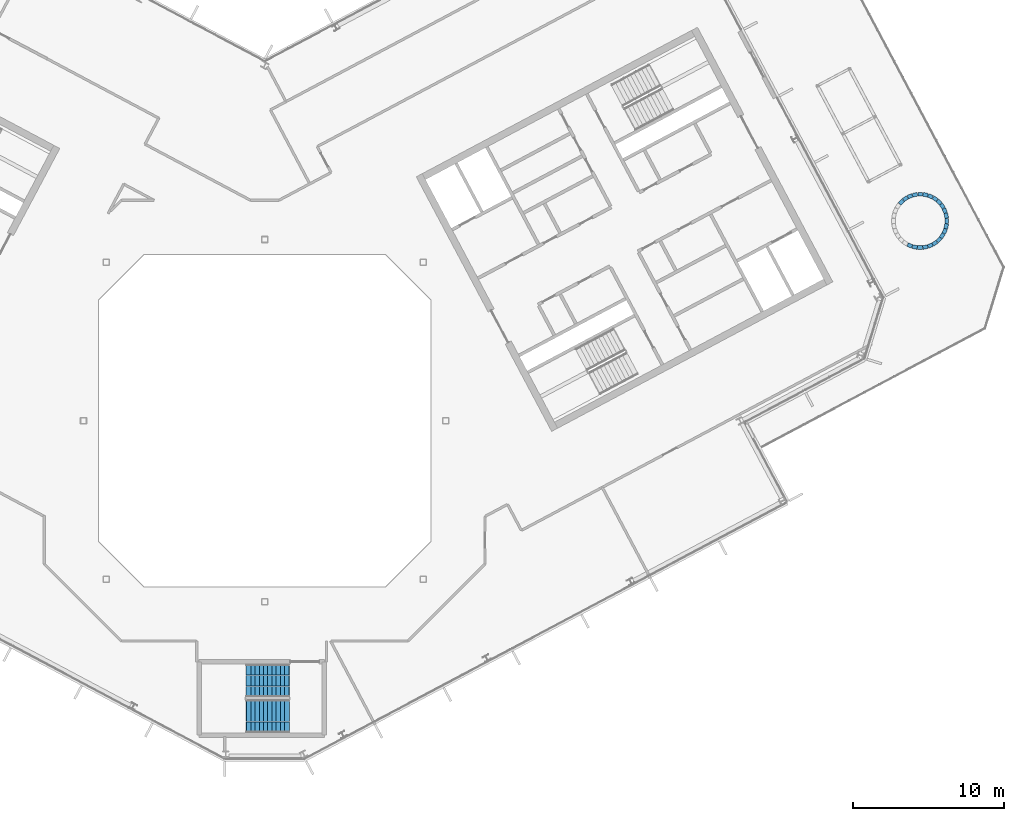
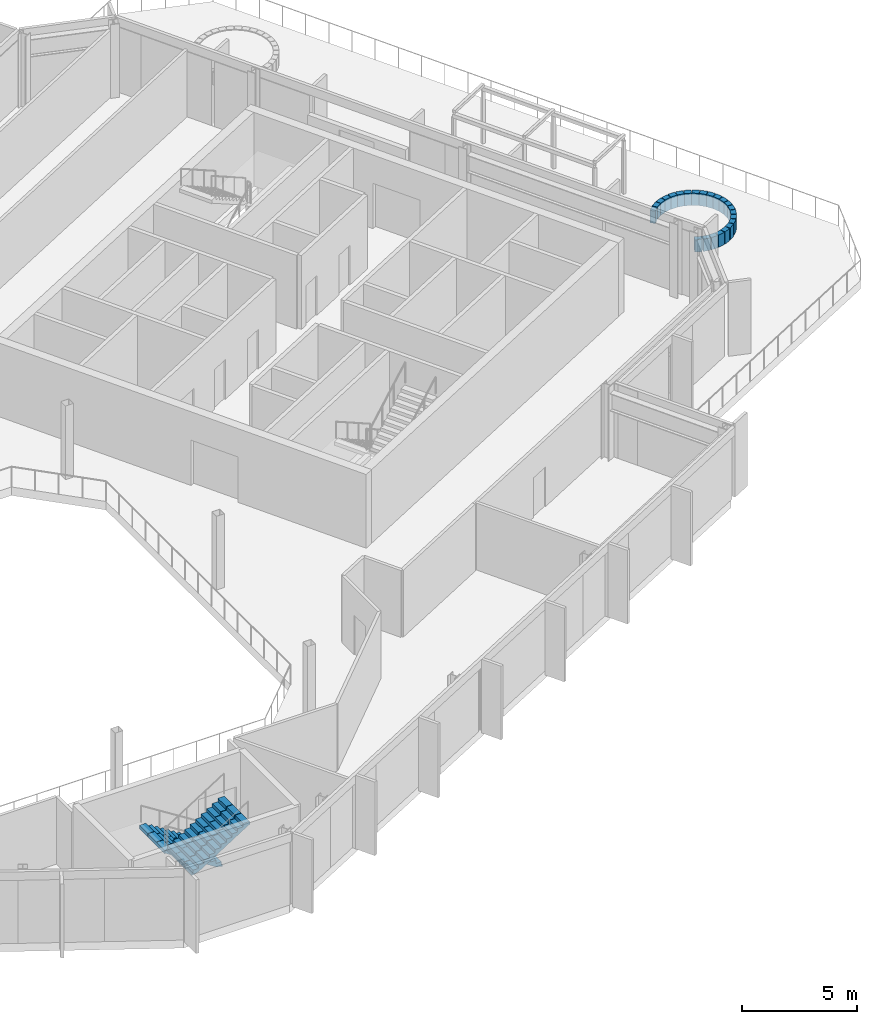
# One storey, part 19 of 30: 23 walls, 2 stair flights, 1 element without a shape of its own.
"""IFC4 building model written with IfcOpenShell, lengths in metres."""

from ifc_helpers import new_model, si_unit, direction, frame, frame_2d, origin, place, context, subcontext, project, spatial, polyline, rectangle, outline, extrude, material, layer, layer_set, type_object, element, aggregate, save


model = new_model("IFC4")

# Units and contexts
model_context = context("Model", 3, precision=1e-05, world=origin(), true_north=direction((0.0, 1.0)))
body_context = subcontext(model_context, "Body", "Model", "MODEL_VIEW")
ifc_project = project(units=[si_unit("LENGTHUNIT", "METRE"), si_unit("AREAUNIT", "SQUARE_METRE"), si_unit("VOLUMEUNIT", "CUBIC_METRE"), si_unit("PLANEANGLEUNIT", "RADIAN"), si_unit("MASSUNIT", "GRAM", prefix="KILO")], contexts=[model_context])

# Site, building, storey
site_placement = place(None, origin())
site = spatial("IfcSite", under=ifc_project, at=site_placement, CompositionType="ELEMENT")
building_placement = place(site_placement, origin())
building = spatial("IfcBuilding", under=site, at=building_placement, Name="Cormorant Relay Tower", CompositionType="ELEMENT")
storey_placement = place(building_placement, frame((0.0, 0.0, 258.0)))
storey = spatial("IfcBuildingStorey", under=building, at=storey_placement, Name="L57", CompositionType="ELEMENT", Elevation=258.0)

# Walls
ifc_material_1 = material(Name="Concrete 40 MPa", Category="concrete")
ifc_layer = layer(ifc_material_1, 0.25)
ifc_layer_set = layer_set([ifc_layer], Name="Planter kerb 250")
wall_type = type_object("IfcWallType", Name="Planter kerb 250", PredefinedType="STANDARD", material=ifc_layer_set)
wall_1_placement = place(storey_placement, frame((44.9912109375, 14.054931640625, 0.0), z_axis=(0.0, 0.0, 1.0), x_axis=(0.38010358941, -0.924943923337, 0.0)))
element("IfcWall", 1, at=wall_1_placement, inside=storey, type_object=wall_type, Name="Terrace PLANTER 57-01 kerb", PredefinedType="STANDARD", context=body_context, shape_type="SweptSolid", body=[
    extrude(rectangle(XDim=0.322998046875, YDim=0.25, at=frame_2d((0.16162109375, 0.0))), origin(), (0.0, 0.0, 1.0), 0.64990234375),
])
for number, where, z_axis, x_axis, name in (
    (2, (45.12109375, 13.732666015625, 0.0), (0.0, 0.0, 1.0), (0.193355625209, -0.981128738851, 0.0), "Terrace PLANTER 57-01 kerb"),
    (3, (45.185791015625, 13.39111328125, 0.0), (0.0, 0.0, 1.0), (-0.001510572295, -0.999998859085, 0.0), "Terrace PLANTER 57-01 kerb"),
    (4, (45.182861328125, 13.04345703125, 0.0), (0.0, 0.0, 1.0), (-0.197858560826, -0.98023057997, 0.0), "Terrace PLANTER 57-01 kerb"),
    (5, (45.11181640625, 12.703125, 0.0), (0.0, 0.0, 1.0), (-0.384508103627, -0.923121616173, 0.0), "Terrace PLANTER 57-01 kerb"),
    (6, (44.975830078125, 12.38330078125, 0.0), (0.0, 0.0, 1.0), (-0.557486254125, -0.830186169761, 0.0), "Terrace PLANTER 57-01 kerb"),
    (7, (44.7802734375, 12.095947265625, 0.0), (0.0, 0.0, 1.0), (-0.708991886501, -0.705216636839, 0.0), "Terrace PLANTER 57-01 kerb"),
    (8, (44.531982421875, 11.852294921875, 0.0), (0.0, 0.0, 1.0), (-0.832631040346, -0.553828087635, 0.0), "Terrace PLANTER 57-01 kerb"),
):
    element("IfcWall", number, at=place(storey_placement, frame(where, z_axis=z_axis, x_axis=x_axis)), inside=storey, type_object=wall_type, Name=name, PredefinedType="STANDARD", context=body_context, shape_type="SweptSolid", body=[
        extrude(rectangle(XDim=0.3232421875, YDim=0.25, at=frame_2d((0.16162109375, 0.0))), origin(), (0.0, 0.0, 1.0), 0.64990234375),
    ])
wall_2_placement = place(storey_placement, frame((44.241455078125, 11.661865234375, 0.0), z_axis=(0.0, 0.0, 1.0), x_axis=(-0.924787502584, -0.380484001063, 0.0)))
element("IfcWall", 9, at=wall_2_placement, inside=storey, type_object=wall_type, Name="Terrace PLANTER 57-01 kerb", PredefinedType="STANDARD", context=body_context, shape_type="SweptSolid", body=[
    extrude(rectangle(XDim=0.323486328125, YDim=0.25, at=frame_2d((0.16162109375, 0.0))), origin(), (0.0, 0.0, 1.0), 0.64990234375),
])
wall_3_placement = place(storey_placement, frame((43.9189453125, 11.53173828125, 0.0), z_axis=(0.0, 0.0, 1.0), x_axis=(-0.981271774918, -0.192628408471, 0.0)))
element("IfcWall", 10, at=wall_3_placement, inside=storey, type_object=wall_type, Name="Terrace PLANTER 57-01 kerb", PredefinedType="STANDARD", context=body_context, shape_type="SweptSolid", body=[
    extrude(rectangle(XDim=0.3232421875, YDim=0.25, at=frame_2d((0.16162109375, 0.0))), origin(), (0.0, 0.0, 1.0), 0.64990234375),
])
wall_4_placement = place(storey_placement, frame((43.577392578125, 11.467041015625, 0.0), z_axis=(0.0, 0.0, 1.0), x_axis=(-0.999997429065, 0.002267567866, 0.0)))
element("IfcWall", 11, at=wall_4_placement, inside=storey, type_object=wall_type, Name="Terrace PLANTER 57-01 kerb", PredefinedType="STANDARD", context=body_context, shape_type="SweptSolid", body=[
    extrude(rectangle(XDim=0.322998046875, YDim=0.25, at=frame_2d((0.16162109375, 0.0))), origin(), (0.0, 0.0, 1.0), 0.64990234375),
])
for number, where, z_axis, x_axis, name in (
    (12, (43.22998046875, 11.47021484375, 0.0), (0.0, 0.0, 1.0), (-0.980376799106, 0.197132777016, 0.0), "Terrace PLANTER 57-01 kerb"),
    (13, (42.8896484375, 11.541259765625, 0.0), (0.0, 0.0, 1.0), (-0.923121616173, 0.384508103627, 0.0), "Terrace PLANTER 57-01 kerb"),
    (14, (42.059326171875, 14.37060546875, 0.0), (0.0, 0.0, 1.0), (0.708616075446, 0.705594258494, 0.0), "Terrace PLANTER 57-01 kerb"),
    (15, (42.307373046875, 14.6142578125, 0.0), (0.0, 0.0, 1.0), (0.832631040346, 0.553828087635, 0.0), "Terrace PLANTER 57-01 kerb"),
    (16, (42.59814453125, 14.8046875, 0.0), (0.0, 0.0, 1.0), (0.924678098475, 0.380749805254, 0.0), "Terrace PLANTER 57-01 kerb"),
    (17, (42.92041015625, 14.934814453125, 0.0), (0.0, 0.0, 1.0), (0.981128738851, 0.193355625209, 0.0), "Terrace PLANTER 57-01 kerb"),
    (18, (43.261962890625, 14.99951171875, 0.0), (0.0, 0.0, 1.0), (0.999997432947, -0.002265855211, 0.0), "Terrace PLANTER 57-01 kerb"),
    (19, (43.609619140625, 14.996337890625, 0.0), (0.0, 0.0, 1.0), (0.980376799106, -0.197132777016, 0.0), "Terrace PLANTER 57-01 kerb"),
    (20, (43.949951171875, 14.92529296875, 0.0), (0.0, 0.0, 1.0), (0.923121616173, -0.384508103627, 0.0), "Terrace PLANTER 57-01 kerb"),
    (21, (44.269775390625, 14.78955078125, 0.0), (0.0, 0.0, 1.0), (0.830186169761, -0.557486254125, 0.0), "Terrace PLANTER 57-01 kerb"),
    (22, (44.55712890625, 14.59375, 0.0), (0.0, 0.0, 1.0), (0.705594258494, -0.708616075446, 0.0), "Terrace PLANTER 57-01 kerb"),
    (23, (44.800537109375, 14.345703125, 0.0), (0.0, 0.0, 1.0), (0.553828087635, -0.832631040346, 0.0), "Terrace PLANTER 57-01 kerb"),
):
    element("IfcWall", number, at=place(storey_placement, frame(where, z_axis=z_axis, x_axis=x_axis)), inside=storey, type_object=wall_type, Name=name, PredefinedType="STANDARD", context=body_context, shape_type="SweptSolid", body=[
        extrude(rectangle(XDim=0.3232421875, YDim=0.25, at=frame_2d((0.16162109375, 0.0))), origin(), (0.0, 0.0, 1.0), 0.64990234375),
    ])

# Stair, stair flights
ifc_material_2 = material(Name="Concrete 40 MPa", Category="concrete")
stair_type = type_object("IfcStairType", Name="Remote exit stair 2200", PredefinedType="HALF_TURN_STAIR", material=ifc_material_2)
stair_placement = place(storey_placement, origin())
stair = element("IfcStair", 24, at=stair_placement, inside=storey, type_object=stair_type, Name="L57 Stair", PredefinedType="HALF_TURN_STAIR")
ifc_material_3 = material(Name="Concrete 40 MPa", Category="concrete")
stair_flight_type = type_object("IfcStairFlightType", Name="Remote exit stair flight 2200", PredefinedType="STRAIGHT", material=ifc_material_3)
stair_flight_1_placement = place(storey_placement, frame((1.60009765625, -17.22509765625, 0.0), z_axis=(0.0, 0.0, 1.0), x_axis=(-1.0, 0.0, 0.0)))
stair_flight_1 = element("IfcStairFlight", 25, at=stair_flight_1_placement, type_object=stair_flight_type, Name="RK1 flight 1", NumberOfRisers=11, NumberOfTreads=10, PredefinedType="STRAIGHT", RiserHeight=0.177272727, TreadLength=0.28, context=body_context, shape_type="SweptSolid", body=[
    extrude(outline(polyline([(-0.050048828125, -0.080078125), (-0.050048828125, 0.0), (0.0, 0.0), (0.0, 0.17724609375), (0.280029296875, 0.17724609375), (0.280029296875, 0.3544921875), (0.56005859375, 0.3544921875), (0.56005859375, 0.53173828125), (0.840087890625, 0.53173828125), (0.840087890625, 0.708984375), (1.1201171875, 0.708984375), (1.1201171875, 0.886474609375), (1.39990234375, 0.886474609375), (1.39990234375, 1.063720703125), (1.679931640625, 1.063720703125), (1.679931640625, 1.240966796875), (1.9599609375, 1.240966796875), (1.9599609375, 1.418212890625), (2.239990234375, 1.418212890625), (2.239990234375, 1.595458984375), (2.52001953125, 1.595458984375), (2.52001953125, 1.772705078125), (2.800048828125, 1.772705078125), (2.85009765625, 1.772705078125), (2.85009765625, 1.59521484375), (2.800048828125, 1.59521484375), (0.2802734375, 0.0), (-0.050048828125, -0.080078125)])), frame((0.0, 1.10009765625, 0.0), z_axis=(0.0, -1.0, 0.0), x_axis=(1.0, 0.0, 0.0)), (0.0, 0.0, 1.0), 0.719970703125),
    extrude(outline(polyline([(-0.050048828125, -0.080078125), (-0.050048828125, 0.0), (0.0, 0.0), (0.0, 0.17724609375), (0.280029296875, 0.17724609375), (0.280029296875, 0.3544921875), (0.56005859375, 0.3544921875), (0.56005859375, 0.53173828125), (0.840087890625, 0.53173828125), (0.840087890625, 0.708984375), (1.1201171875, 0.708984375), (1.1201171875, 0.886474609375), (1.39990234375, 0.886474609375), (1.39990234375, 1.063720703125), (1.679931640625, 1.063720703125), (1.679931640625, 1.240966796875), (1.9599609375, 1.240966796875), (1.9599609375, 1.418212890625), (2.239990234375, 1.418212890625), (2.239990234375, 1.595458984375), (2.52001953125, 1.595458984375), (2.52001953125, 1.772705078125), (2.800048828125, 1.772705078125), (2.85009765625, 1.772705078125), (2.85009765625, 1.59521484375), (2.800048828125, 1.59521484375), (0.2802734375, 0.0), (-0.050048828125, -0.080078125)])), frame((0.0, 0.360107421875, 0.0), z_axis=(0.0, -1.0, 0.0), x_axis=(1.0, 0.0, 0.0)), (0.0, 0.0, 1.0), 0.719970703125),
    extrude(outline(polyline([(-0.050048828125, -0.080078125), (-0.050048828125, 0.0), (0.0, 0.0), (0.0, 0.17724609375), (0.280029296875, 0.17724609375), (0.280029296875, 0.3544921875), (0.56005859375, 0.3544921875), (0.56005859375, 0.53173828125), (0.840087890625, 0.53173828125), (0.840087890625, 0.708984375), (1.1201171875, 0.708984375), (1.1201171875, 0.886474609375), (1.39990234375, 0.886474609375), (1.39990234375, 1.063720703125), (1.679931640625, 1.063720703125), (1.679931640625, 1.240966796875), (1.9599609375, 1.240966796875), (1.9599609375, 1.418212890625), (2.239990234375, 1.418212890625), (2.239990234375, 1.595458984375), (2.52001953125, 1.595458984375), (2.52001953125, 1.772705078125), (2.800048828125, 1.772705078125), (2.85009765625, 1.772705078125), (2.85009765625, 1.59521484375), (2.800048828125, 1.59521484375), (0.2802734375, 0.0), (-0.050048828125, -0.080078125)])), frame((0.0, -0.3798828125, 0.0), z_axis=(0.0, -1.0, 0.0), x_axis=(1.0, 0.0, 0.0)), (0.0, 0.0, 1.0), 0.719970703125),
])
stair_flight_2_placement = place(storey_placement, frame((-1.199951171875, -19.574951171875, 1.949951171875), z_axis=(0.0, 0.0, 1.0), x_axis=(1.0, 0.0, 0.0)))
stair_flight_2 = element("IfcStairFlight", 26, at=stair_flight_2_placement, type_object=stair_flight_type, Name="RK1 flight 2", NumberOfRisers=11, NumberOfTreads=10, PredefinedType="STRAIGHT", RiserHeight=0.177272727, TreadLength=0.28, context=body_context, shape_type="SweptSolid", body=[
    extrude(outline(polyline([(-0.050048828125, -0.080078125), (-0.050048828125, 0.0), (0.0, 0.0), (0.0, 0.17724609375), (0.280029296875, 0.17724609375), (0.280029296875, 0.3544921875), (0.56005859375, 0.3544921875), (0.56005859375, 0.53173828125), (0.840087890625, 0.53173828125), (0.840087890625, 0.708984375), (1.1201171875, 0.708984375), (1.1201171875, 0.886474609375), (1.39990234375, 0.886474609375), (1.39990234375, 1.063720703125), (1.679931640625, 1.063720703125), (1.679931640625, 1.240966796875), (1.9599609375, 1.240966796875), (1.9599609375, 1.418212890625), (2.239990234375, 1.418212890625), (2.239990234375, 1.595458984375), (2.52001953125, 1.595458984375), (2.52001953125, 1.772705078125), (2.800048828125, 1.772705078125), (2.85009765625, 1.772705078125), (2.85009765625, 1.59521484375), (2.800048828125, 1.59521484375), (0.2802734375, 0.0), (-0.050048828125, -0.080078125)])), frame((0.0, 1.10009765625, 0.0), z_axis=(0.0, -1.0, 0.0), x_axis=(1.0, 0.0, 0.0)), (0.0, 0.0, 1.0), 0.719970703125),
    extrude(outline(polyline([(-0.050048828125, -0.080078125), (-0.050048828125, 0.0), (0.0, 0.0), (0.0, 0.17724609375), (0.280029296875, 0.17724609375), (0.280029296875, 0.3544921875), (0.56005859375, 0.3544921875), (0.56005859375, 0.53173828125), (0.840087890625, 0.53173828125), (0.840087890625, 0.708984375), (1.1201171875, 0.708984375), (1.1201171875, 0.886474609375), (1.39990234375, 0.886474609375), (1.39990234375, 1.063720703125), (1.679931640625, 1.063720703125), (1.679931640625, 1.240966796875), (1.9599609375, 1.240966796875), (1.9599609375, 1.418212890625), (2.239990234375, 1.418212890625), (2.239990234375, 1.595458984375), (2.52001953125, 1.595458984375), (2.52001953125, 1.772705078125), (2.800048828125, 1.772705078125), (2.85009765625, 1.772705078125), (2.85009765625, 1.59521484375), (2.800048828125, 1.59521484375), (0.2802734375, 0.0), (-0.050048828125, -0.080078125)])), frame((0.0, 0.360107421875, 0.0), z_axis=(0.0, -1.0, 0.0), x_axis=(1.0, 0.0, 0.0)), (0.0, 0.0, 1.0), 0.719970703125),
    extrude(outline(polyline([(-0.050048828125, -0.080078125), (-0.050048828125, 0.0), (0.0, 0.0), (0.0, 0.17724609375), (0.280029296875, 0.17724609375), (0.280029296875, 0.3544921875), (0.56005859375, 0.3544921875), (0.56005859375, 0.53173828125), (0.840087890625, 0.53173828125), (0.840087890625, 0.708984375), (1.1201171875, 0.708984375), (1.1201171875, 0.886474609375), (1.39990234375, 0.886474609375), (1.39990234375, 1.063720703125), (1.679931640625, 1.063720703125), (1.679931640625, 1.240966796875), (1.9599609375, 1.240966796875), (1.9599609375, 1.418212890625), (2.239990234375, 1.418212890625), (2.239990234375, 1.595458984375), (2.52001953125, 1.595458984375), (2.52001953125, 1.772705078125), (2.800048828125, 1.772705078125), (2.85009765625, 1.772705078125), (2.85009765625, 1.59521484375), (2.800048828125, 1.59521484375), (0.2802734375, 0.0), (-0.050048828125, -0.080078125)])), frame((0.0, -0.3798828125, 0.0), z_axis=(0.0, -1.0, 0.0), x_axis=(1.0, 0.0, 0.0)), (0.0, 0.0, 1.0), 0.719970703125),
])
aggregate(stair, [stair_flight_1, stair_flight_2])

save(model, "model.ifc")
